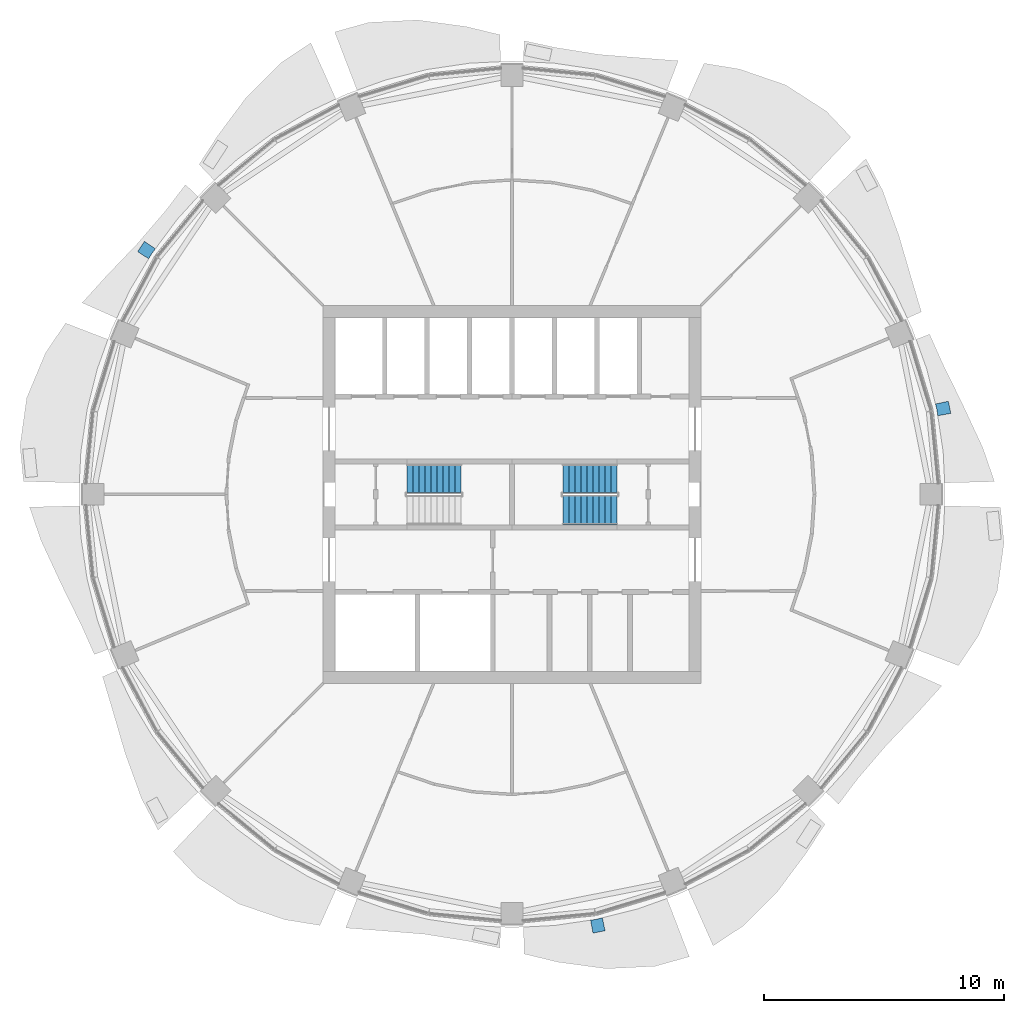
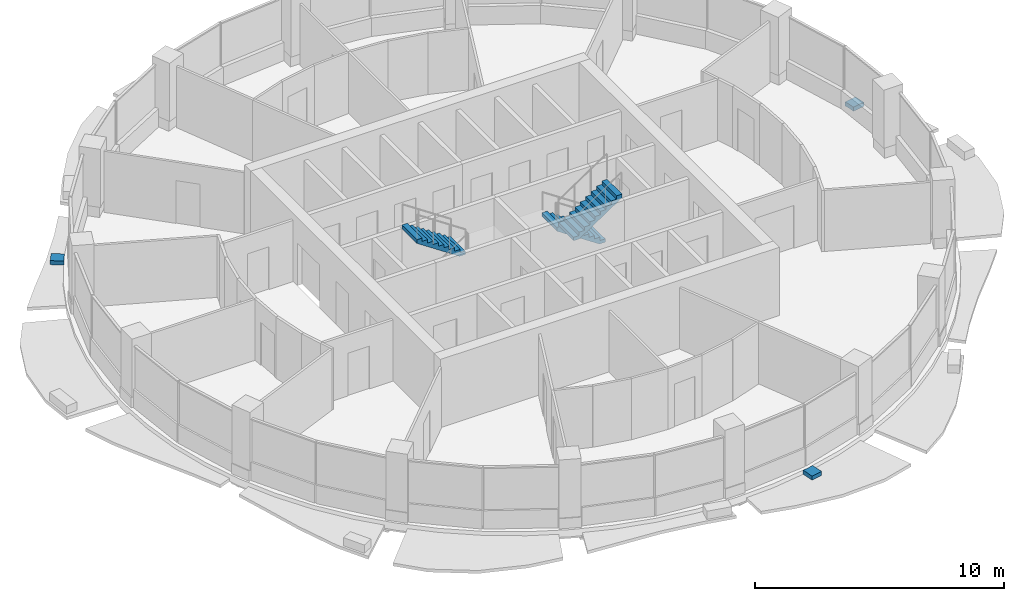
# One storey, part 11 of 15: 3 discrete accessories, 3 stair flights, 2 elements without a shape of their own.
"""IFC4 building model written with IfcOpenShell, lengths in metres."""

from ifc_helpers import new_model, si_unit, direction, frame, origin, place, context, subcontext, project, spatial, polyline, outline, extrude, material, type_object, element, aggregate, save


model = new_model("IFC4")

# Units and contexts
model_context = context("Model", 3, precision=1e-05, world=origin(), true_north=direction((0.0, 1.0)))
body_context = subcontext(model_context, "Body", "Model", "MODEL_VIEW")
ifc_project = project(units=[si_unit("LENGTHUNIT", "METRE"), si_unit("AREAUNIT", "SQUARE_METRE"), si_unit("VOLUMEUNIT", "CUBIC_METRE"), si_unit("PLANEANGLEUNIT", "RADIAN"), si_unit("MASSUNIT", "GRAM", prefix="KILO")], contexts=[model_context])

# Site, building, storey
site_placement = place(None, origin())
site = spatial("IfcSite", under=ifc_project, at=site_placement, CompositionType="ELEMENT")
building_placement = place(site_placement, origin())
building = spatial("IfcBuilding", under=site, at=building_placement, Name="Polderwave Tower", CompositionType="ELEMENT")
storey_placement = place(building_placement, frame((0.0, 0.0, 187.64990234375)))
storey = spatial("IfcBuildingStorey", under=building, at=storey_placement, Name="L50", CompositionType="ELEMENT", Elevation=187.64990234375)

# Stair, stair flight
ifc_material_1 = material(Name="Concrete C40/50", Category="concrete")
stair_type = type_object("IfcStairType", Name="Exit stair 1200 x 20 risers", PredefinedType="HALF_TURN_STAIR", material=ifc_material_1)
stair_1_placement = place(storey_placement, origin())
stair_1 = element("IfcStair", 1, at=stair_1_placement, inside=storey, type_object=stair_type, Name="L50 Exit stair A", PredefinedType="HALF_TURN_STAIR")
stair_flight_type = type_object("IfcStairFlightType", Name="Stair flight 1200", PredefinedType="STRAIGHT", material=ifc_material_1)
stair_flight_1_placement = place(storey_placement, frame((-2.1240234375, 0.675048828125, 1.675048828125), z_axis=(0.0, 0.0, 1.0), x_axis=(-1.0, 0.0, 0.0)))
stair_flight_1 = element("IfcStairFlight", 2, at=stair_flight_1_placement, type_object=stair_flight_type, Name="ST-A flight 2", NumberOfRisers=10, NumberOfTreads=9, PredefinedType="STRAIGHT", RiserHeight=0.1675, TreadLength=0.25, context=body_context, shape_type="SweptSolid", body=[
    extrude(outline(polyline([(0.0, 0.0), (0.0, 0.16748046875), (0.25, 0.16748046875), (0.25, 0.3349609375), (0.5, 0.3349609375), (0.5, 0.50244140625), (0.75, 0.50244140625), (0.75, 0.669921875), (1.0, 0.669921875), (1.0, 0.83740234375), (1.25, 0.83740234375), (1.25, 1.0048828125), (1.5, 1.0048828125), (1.5, 1.172607421875), (1.75, 1.172607421875), (1.75, 1.340087890625), (2.0, 1.340087890625), (2.0, 1.507568359375), (2.25, 1.507568359375), (2.25, 1.675048828125), (2.25, 1.3271484375), (0.269287109375, 0.0), (0.0, 0.0)])), frame((0.0, 0.60009765625, 0.0), z_axis=(0.0, -1.0, 0.0), x_axis=(1.0, 0.0, 0.0)), (0.0, 0.0, 1.0), 1.199951171875),
])
aggregate(stair_1, [stair_flight_1])

# Stair, stair flights
stair_2_placement = place(storey_placement, origin())
stair_2 = element("IfcStair", 3, at=stair_2_placement, inside=storey, type_object=stair_type, Name="L50 Exit stair B", PredefinedType="HALF_TURN_STAIR")
stair_flight_2_placement = place(storey_placement, frame((4.3740234375, 0.675048828125, 0.0), z_axis=(0.0, 0.0, 1.0), x_axis=(-1.0, 0.0, 0.0)))
stair_flight_2 = element("IfcStairFlight", 4, at=stair_flight_2_placement, type_object=stair_flight_type, Name="ST-B flight 1", NumberOfRisers=10, NumberOfTreads=9, PredefinedType="STRAIGHT", RiserHeight=0.1675, TreadLength=0.25, context=body_context, shape_type="SweptSolid", body=[
    extrude(outline(polyline([(0.0, 0.0), (0.0, 0.16748046875), (0.25, 0.16748046875), (0.25, 0.3349609375), (0.5, 0.3349609375), (0.5, 0.50244140625), (0.75, 0.50244140625), (0.75, 0.669921875), (1.0, 0.669921875), (1.0, 0.83740234375), (1.25, 0.83740234375), (1.25, 1.0048828125), (1.5, 1.0048828125), (1.5, 1.172607421875), (1.75, 1.172607421875), (1.75, 1.340087890625), (2.0, 1.340087890625), (2.0, 1.507568359375), (2.25, 1.507568359375), (2.25, 1.675048828125), (2.25, 1.3271484375), (0.269287109375, 0.0), (0.0, 0.0)])), frame((0.0, 0.60009765625, 0.0), z_axis=(0.0, -1.0, 0.0), x_axis=(1.0, 0.0, 0.0)), (0.0, 0.0, 1.0), 1.199951171875),
])
stair_flight_3_placement = place(storey_placement, frame((2.1240234375, -0.675048828125, 1.675048828125), z_axis=(0.0, 0.0, 1.0), x_axis=(1.0, 0.0, 0.0)))
stair_flight_3 = element("IfcStairFlight", 5, at=stair_flight_3_placement, type_object=stair_flight_type, Name="ST-B flight 2", NumberOfRisers=10, NumberOfTreads=9, PredefinedType="STRAIGHT", RiserHeight=0.1675, TreadLength=0.25, context=body_context, shape_type="SweptSolid", body=[
    extrude(outline(polyline([(0.0, 0.0), (0.0, 0.16748046875), (0.25, 0.16748046875), (0.25, 0.3349609375), (0.5, 0.3349609375), (0.5, 0.50244140625), (0.75, 0.50244140625), (0.75, 0.669921875), (1.0, 0.669921875), (1.0, 0.83740234375), (1.25, 0.83740234375), (1.25, 1.0048828125), (1.5, 1.0048828125), (1.5, 1.172607421875), (1.75, 1.172607421875), (1.75, 1.340087890625), (2.0, 1.340087890625), (2.0, 1.507568359375), (2.25, 1.507568359375), (2.25, 1.675048828125), (2.25, 1.3271484375), (0.269287109375, 0.0), (0.0, 0.0)])), frame((0.0, 0.60009765625, 0.0), z_axis=(0.0, -1.0, 0.0), x_axis=(1.0, 0.0, 0.0)), (0.0, 0.0, 1.0), 1.199951171875),
])
aggregate(stair_2, [stair_flight_2, stair_flight_3])

# Discrete accessories
ifc_material_2 = material(Name="Steel S355", Category="steel")
discrete_accessory_type = type_object("IfcDiscreteAccessoryType", Name="Band bracket pad", PredefinedType="BRACKET", material=ifc_material_2)
discrete_accessory_1_placement = place(storey_placement, frame((0.0, 0.0, -0.199951171875)))
element("IfcDiscreteAccessory", 6, at=discrete_accessory_1_placement, inside=storey, type_object=discrete_accessory_type, Name="Band bracket L50 1", PredefinedType="BRACKET", context=body_context, shape_type="SweptSolid", body=[
    extrude(outline(polyline([(17.739990234375, 3.274169921875), (17.703125, 3.521484375), (17.642333984375, 3.763916015625), (18.180419921875, 3.878662109375), (18.28076171875, 3.373779296875), (17.739990234375, 3.274169921875)])), origin(), (0.0, 0.0, 1.0), 0.199951171875),
])
discrete_accessory_2_placement = place(storey_placement, frame((0.0, 0.0, -0.199951171875)))
element("IfcDiscreteAccessory", 7, at=discrete_accessory_2_placement, inside=storey, type_object=discrete_accessory_type, Name="Band bracket L50 7", PredefinedType="BRACKET", context=body_context, shape_type="SweptSolid", body=[
    extrude(outline(polyline([(-14.859130859375, 10.228759765625), (-15.008056640625, 10.028076171875), (-15.13671875, 9.813720703125), (-15.597900390625, 10.11279296875), (-15.31201171875, 10.540771484375), (-14.859130859375, 10.228759765625)])), origin(), (0.0, 0.0, 1.0), 0.199951171875),
])
discrete_accessory_3_placement = place(storey_placement, frame((0.0, 0.0, -0.199951171875)))
element("IfcDiscreteAccessory", 8, at=discrete_accessory_3_placement, inside=storey, type_object=discrete_accessory_type, Name="Band bracket L50 13", PredefinedType="BRACKET", context=body_context, shape_type="SweptSolid", body=[
    extrude(outline(polyline([(3.274169921875, -17.739990234375), (3.521484375, -17.703125), (3.763916015625, -17.642333984375), (3.878662109375, -18.180419921875), (3.373779296875, -18.28076171875), (3.274169921875, -17.739990234375)])), origin(), (0.0, 0.0, 1.0), 0.199951171875),
])

save(model, "model.ifc")
